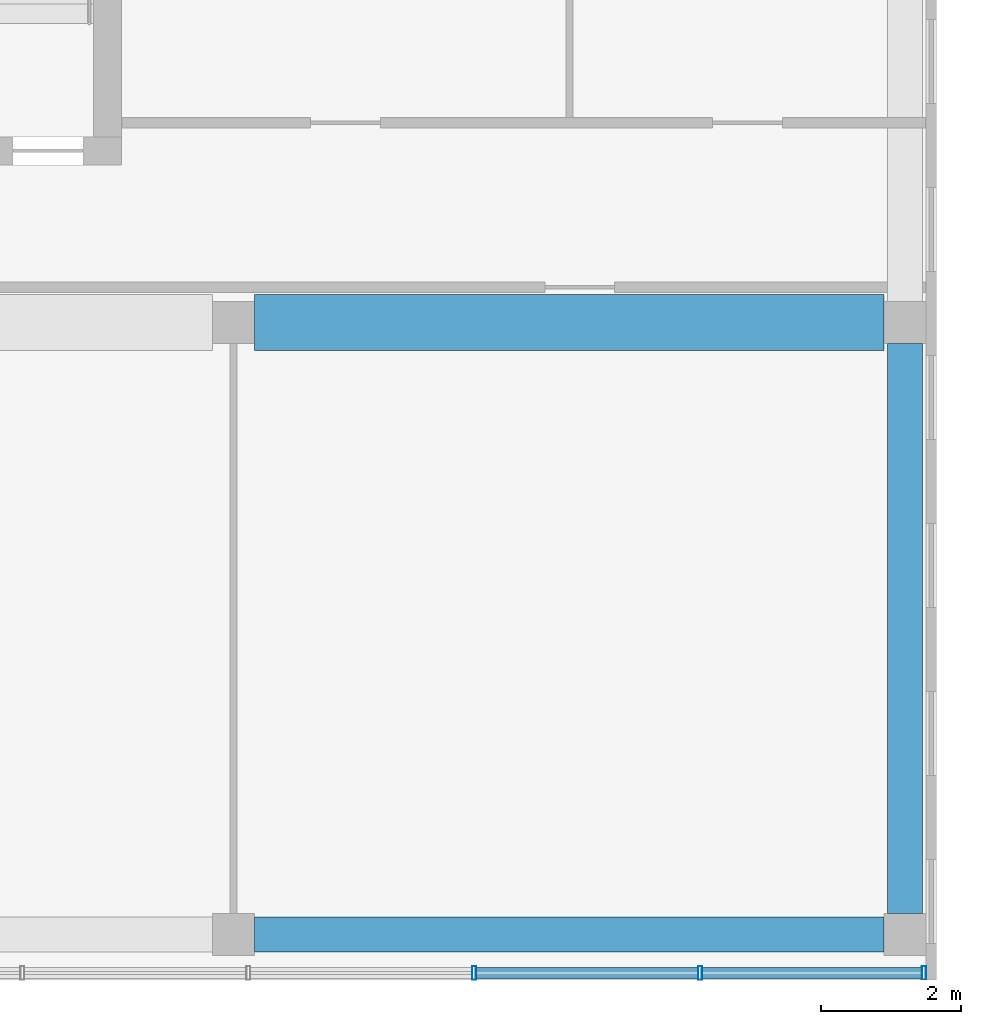
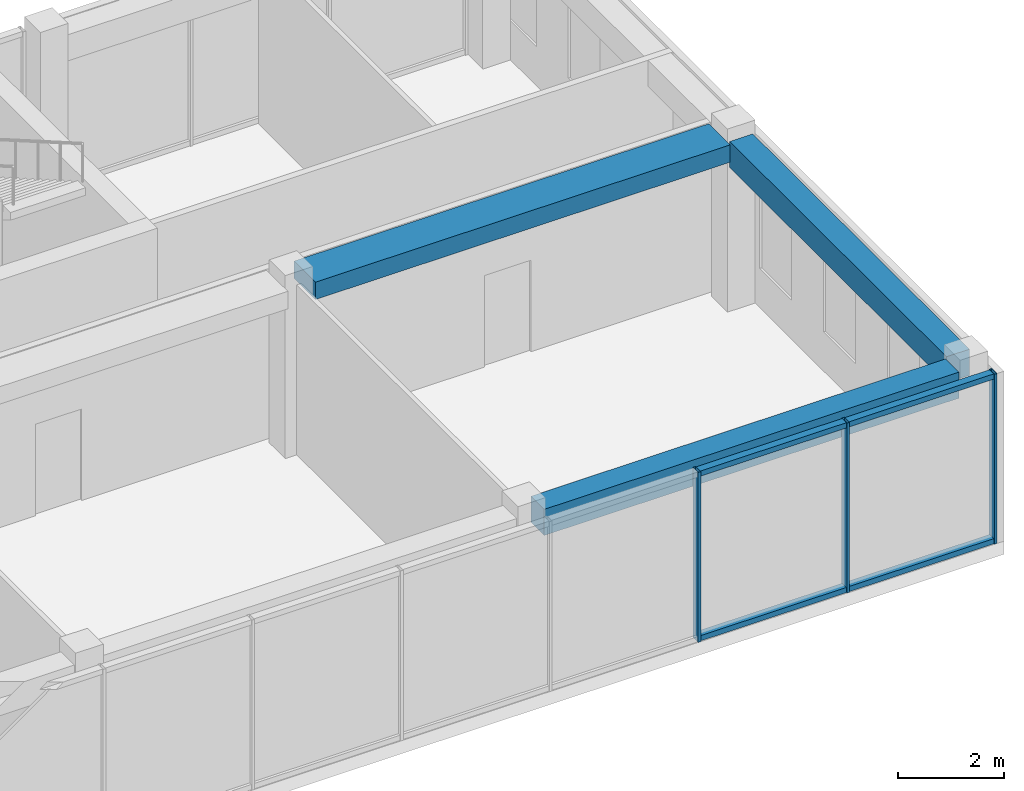
# One storey, part 11 of 28: 7 members, 3 beams, 1 element without a shape of its own.
"""IFC4 building model written with IfcOpenShell, lengths in metres."""

from ifc_helpers import new_model, si_unit, direction, frame, origin, origin_2d, place, context, subcontext, project, spatial, rectangle, hollow_rectangle, extrude, material, layer, layer_set, material_profile, profile_set, type_object, element, aggregate, save


model = new_model("IFC4")

# Units and contexts
model_context = context("Model", 3, precision=1e-05, world=origin(), true_north=direction((0.0, 1.0)))
body_context = subcontext(model_context, "Body", "Model", "MODEL_VIEW")
ifc_project = project(units=[si_unit("LENGTHUNIT", "METRE"), si_unit("AREAUNIT", "SQUARE_METRE"), si_unit("VOLUMEUNIT", "CUBIC_METRE"), si_unit("PLANEANGLEUNIT", "RADIAN"), si_unit("MASSUNIT", "GRAM", prefix="KILO")], contexts=[model_context])

# Site, building, storey
site_placement = place(None, origin())
site = spatial("IfcSite", under=ifc_project, at=site_placement, CompositionType="ELEMENT")
building_placement = place(site_placement, origin())
building = spatial("IfcBuilding", under=site, at=building_placement, Name="Nzadi Deep Aquarium and Research Tower", CompositionType="ELEMENT")
storey_placement = place(building_placement, frame((0.0, 0.0, 73.89990234375)))
storey = spatial("IfcBuildingStorey", under=building, at=storey_placement, Name="L15", CompositionType="ELEMENT", Elevation=73.89990234375)

# Curtain wall, members
ifc_material_1 = material(Name="Aluminium unitised frame", Category="aluminium")
ifc_layer = layer(ifc_material_1, 0.199951171875)
ifc_layer_set = layer_set([ifc_layer], Name="Aluminium unitised frame")
curtain_wall_type = type_object("IfcCurtainWallType", Name="Curtain wall Unitised 200", PredefinedType="NOTDEFINED", material=ifc_layer_set)
curtain_wall_placement = place(storey_placement, origin())
curtain_wall = element("IfcCurtainWall", 1, at=curtain_wall_placement, inside=storey, type_object=curtain_wall_type, Name="Unitised curtain wall blade A south L15", PredefinedType="NOTDEFINED")
ifc_material_2 = material(Name="Aluminium unitised frame", Category="aluminium")
ifc_material_profile_1 = material_profile(ifc_material_2, hollow_rectangle(XDim=0.199951171875, YDim=0.06005859375, WallThickness=0.0048828125, at=origin_2d()))
ifc_profile_set_1 = profile_set([ifc_material_profile_1], Name="Aluminium unitised frame")
member_type_1 = type_object("IfcMemberType", Name="Mullion 60x200 Unitised", PredefinedType="MULLION", material=ifc_profile_set_1)
member_1_placement = place(storey_placement, frame((32.24169921875, -0.10009765625, 0.0), z_axis=(0.0, 0.0, 1.0), x_axis=(0.0, 1.0, 0.0)))
member_1 = element("IfcMember", 2, at=member_1_placement, type_object=member_type_1, Name="CW069 mullion 11", PredefinedType="MULLION", context=body_context, shape_type="SweptSolid", body=[
    extrude(hollow_rectangle(XDim=0.199951171875, YDim=0.06005859375, WallThickness=0.0048828125, at=origin_2d()), origin(), (0.0, 0.0, 1.0), 3.900146484375),
])
member_2_placement = place(storey_placement, frame((35.470947265625, -0.10009765625, 0.0), z_axis=(0.0, 0.0, 1.0), x_axis=(0.0, 1.0, 0.0)))
member_2 = element("IfcMember", 3, at=member_2_placement, type_object=member_type_1, Name="CW069 mullion 12", PredefinedType="MULLION", context=body_context, shape_type="SweptSolid", body=[
    extrude(hollow_rectangle(XDim=0.199951171875, YDim=0.06005859375, WallThickness=0.0048828125, at=origin_2d()), origin(), (0.0, 0.0, 1.0), 3.900146484375),
])
member_3_placement = place(storey_placement, frame((38.669921875, -0.10009765625, 0.0), z_axis=(0.0, 0.0, 1.0), x_axis=(0.0, 1.0, 0.0)))
member_3 = element("IfcMember", 4, at=member_3_placement, type_object=member_type_1, Name="CW069 mullion 13", PredefinedType="MULLION", context=body_context, shape_type="SweptSolid", body=[
    extrude(hollow_rectangle(XDim=0.199951171875, YDim=0.06005859375, WallThickness=0.0048828125, at=origin_2d()), origin(), (0.0, 0.0, 1.0), 3.900146484375),
])

# Beams
ifc_material_3 = material(Name="Concrete C35/45", Category="concrete")
ifc_material_profile_2 = material_profile(ifc_material_3, rectangle(XDim=0.5, YDim=0.60009765625, at=origin_2d()))
ifc_profile_set_2 = profile_set([ifc_material_profile_2], Name="Concrete C35/45")
beam_type_1 = type_object("IfcBeamType", Name="RC 500x600", PredefinedType="BEAM", material=ifc_profile_set_2)
beam_1_placement = place(storey_placement, frame((29.10009765625, 0.449951171875, 3.60009765625), z_axis=(1.0, 0.0, 0.0), x_axis=(0.0, 1.0, 0.0)))
element("IfcBeam", 5, at=beam_1_placement, inside=storey, type_object=beam_type_1, Name="B-Z1-L15-L1-4", PredefinedType="BEAM", context=body_context, shape_type="SweptSolid", body=[
    extrude(rectangle(XDim=0.5, YDim=0.60009765625, at=origin_2d()), origin(), (0.0, 0.0, 1.0), 9.0),
])
beam_2_placement = place(storey_placement, frame((38.39990234375, 0.75, 3.60009765625), z_axis=(0.0, 1.0, 0.0), x_axis=(-1.0, 0.0, 0.0)))
element("IfcBeam", 6, at=beam_2_placement, inside=storey, type_object=beam_type_1, Name="B-Z1-L15-CE-1-1", PredefinedType="BEAM", context=body_context, shape_type="SweptSolid", body=[
    extrude(rectangle(XDim=0.5, YDim=0.60009765625, at=origin_2d()), origin(), (0.0, 0.0, 1.0), 8.14990234375),
])
ifc_material_4 = material(Name="Concrete C35/45", Category="concrete")
ifc_material_profile_3 = material_profile(ifc_material_4, rectangle(XDim=0.800048828125, YDim=0.39990234375, at=origin_2d()))
ifc_profile_set_3 = profile_set([ifc_material_profile_3], Name="Concrete C35/45")
beam_type_2 = type_object("IfcBeamType", Name="RC 800x400", PredefinedType="BEAM", material=ifc_profile_set_3)
beam_3_placement = place(storey_placement, frame((29.10009765625, 9.199951171875, 3.7001953125), z_axis=(1.0, 0.0, 0.0), x_axis=(0.0, 1.0, 0.0)))
element("IfcBeam", 7, at=beam_3_placement, inside=storey, type_object=beam_type_2, Name="B-Z1-L15-L2-4", PredefinedType="BEAM", context=body_context, shape_type="SweptSolid", body=[
    extrude(rectangle(XDim=0.800048828125, YDim=0.39990234375, at=origin_2d()), origin(), (0.0, 0.0, 1.0), 9.0),
])

# Member
ifc_material_5 = material(Name="Aluminium unitised frame", Category="aluminium")
ifc_material_profile_4 = material_profile(ifc_material_5, hollow_rectangle(XDim=0.159912109375, YDim=0.1201171875, WallThickness=0.0048828125, at=origin_2d()))
ifc_profile_set_4 = profile_set([ifc_material_profile_4], Name="Aluminium unitised frame")
member_type_2 = type_object("IfcMemberType", Name="Transom 120x160 Unitised", PredefinedType="MULLION", material=ifc_profile_set_4)
member_4_placement = place(storey_placement, frame((32.271728515625, -0.10009765625, 0.06005859375), z_axis=(1.0, 0.0, 0.0), x_axis=(0.0, 1.0, 0.0)))
member_4 = element("IfcMember", 8, at=member_4_placement, type_object=member_type_2, Name="CW069 transom 11.1", PredefinedType="MULLION", context=body_context, shape_type="SweptSolid", body=[
    extrude(hollow_rectangle(XDim=0.159912109375, YDim=0.1201171875, WallThickness=0.0048828125, at=origin_2d()), origin(), (0.0, 0.0, 1.0), 3.169189453125),
])

member_5_placement = place(storey_placement, frame((32.271728515625, -0.10009765625, 3.840087890625), z_axis=(1.0, 0.0, 0.0), x_axis=(0.0, 1.0, 0.0)))
member_5 = element("IfcMember", 9, at=member_5_placement, type_object=member_type_2, Name="CW069 transom 11.2", PredefinedType="MULLION", context=body_context, shape_type="SweptSolid", body=[
    extrude(hollow_rectangle(XDim=0.159912109375, YDim=0.1201171875, WallThickness=0.0048828125, at=origin_2d()), origin(), (0.0, 0.0, 1.0), 3.169189453125),
])

member_6_placement = place(storey_placement, frame((35.500732421875, -0.10009765625, 0.06005859375), z_axis=(1.0, 0.0, 0.0), x_axis=(0.0, 1.0, 0.0)))
member_6 = element("IfcMember", 10, at=member_6_placement, type_object=member_type_2, Name="CW069 transom 12.1", PredefinedType="MULLION", context=body_context, shape_type="SweptSolid", body=[
    extrude(hollow_rectangle(XDim=0.159912109375, YDim=0.1201171875, WallThickness=0.0048828125, at=origin_2d()), origin(), (0.0, 0.0, 1.0), 3.13916015625),
])

member_7_placement = place(storey_placement, frame((35.500732421875, -0.10009765625, 3.840087890625), z_axis=(1.0, 0.0, 0.0), x_axis=(0.0, 1.0, 0.0)))
member_7 = element("IfcMember", 11, at=member_7_placement, type_object=member_type_2, Name="CW069 transom 12.2", PredefinedType="MULLION", context=body_context, shape_type="SweptSolid", body=[
    extrude(hollow_rectangle(XDim=0.159912109375, YDim=0.1201171875, WallThickness=0.0048828125, at=origin_2d()), origin(), (0.0, 0.0, 1.0), 3.13916015625),
])

aggregate(curtain_wall, [member_1, member_2, member_3, member_4, member_5, member_6, member_7])

save(model, "model.ifc")
